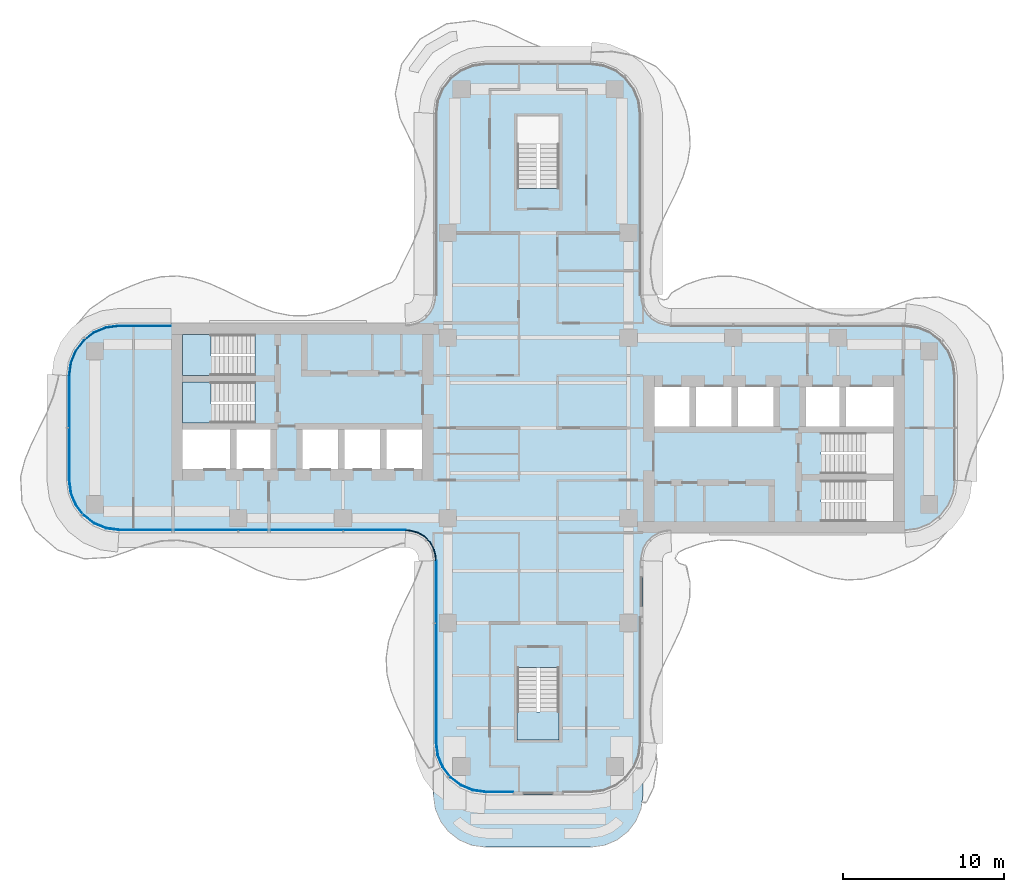
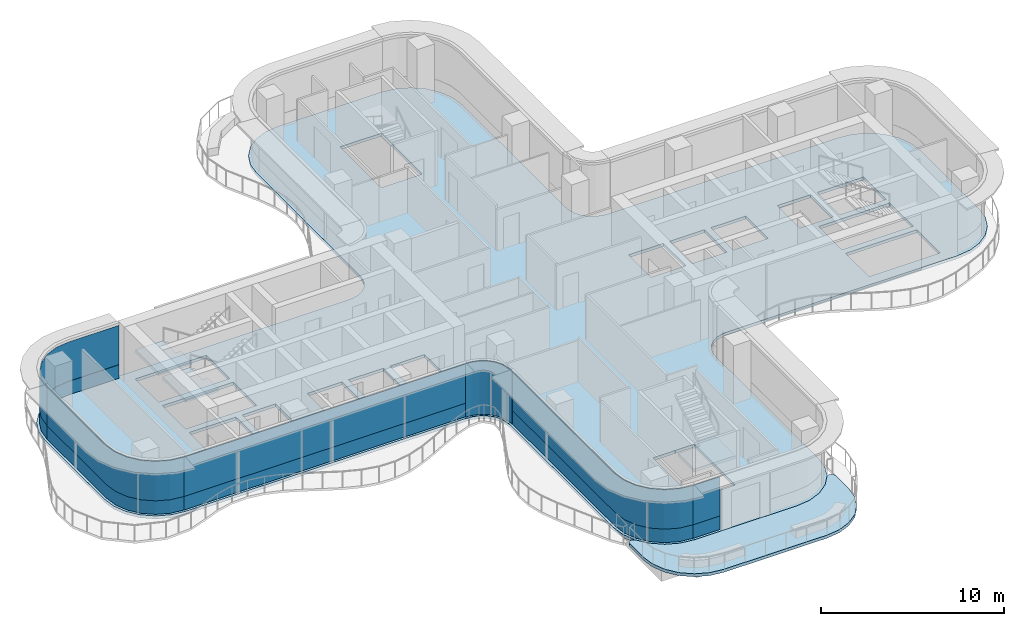
# One storey, part 8 of 17: 11 plates, 5 slabs, 9 elements without a shape of their own.
"""IFC4 building model written with IfcOpenShell, lengths in metres."""

from ifc_helpers import new_model, si_unit, direction, frame, origin, place, context, subcontext, project, spatial, polyline, outline, extrude, source, transform, mapped, material, layer, layer_set, type_object, element, aggregate, save


model = new_model("IFC4")

# Units and contexts
model_context = context("Model", 3, precision=1e-05, world=origin(), true_north=direction((0.0, 1.0)))
body_context = subcontext(model_context, "Body", "Model", "MODEL_VIEW")
ifc_project = project(units=[si_unit("LENGTHUNIT", "METRE"), si_unit("AREAUNIT", "SQUARE_METRE"), si_unit("VOLUMEUNIT", "CUBIC_METRE"), si_unit("PLANEANGLEUNIT", "RADIAN"), si_unit("MASSUNIT", "GRAM", prefix="KILO")], contexts=[model_context])

# Site, building, storey
site_placement = place(None, origin())
site = spatial("IfcSite", under=ifc_project, at=site_placement, CompositionType="ELEMENT")
building_placement = place(site_placement, origin())
building = spatial("IfcBuilding", under=site, at=building_placement, Name="Trellis Farm Tower", CompositionType="ELEMENT")
storey_placement = place(building_placement, frame((0.0, 0.0, 244.10009765625)))
storey = spatial("IfcBuildingStorey", under=building, at=storey_placement, Name="L54", CompositionType="ELEMENT", Elevation=244.10009765625)

# Curtain wall, plates
ifc_material_1 = material(Name="Aluminium and glass curtain wall", Category="aluminium")
ifc_layer_1 = layer(ifc_material_1, 0.18994140625)
ifc_layer_set_1 = layer_set([ifc_layer_1], Name="RIBBON CURTAIN WALL CW1")
curtain_wall_type_1 = type_object("IfcCurtainWallType", Name="RIBBON CURTAIN WALL CW1", PredefinedType="NOTDEFINED", material=ifc_layer_set_1)
placement_1 = place(storey_placement, origin())
curtain_wall_1 = element("IfcCurtainWall", 1, at=placement_1, inside=storey, type_object=curtain_wall_type_1, Name="CW1 003", PredefinedType="NOTDEFINED")
ifc_material_2 = material(Name="Clear insulated glass", Category="glass")
ifc_layer_2 = layer(ifc_material_2, 0.0400390625)
ifc_layer_set_2 = layer_set([ifc_layer_2], Name="CW1 GLASS PANEL 40")
plate_type_1 = type_object("IfcPlateType", Name="CW1 GLASS PANEL 40", PredefinedType="CURTAIN_PANEL", material=ifc_layer_set_2)
placement_2 = place(storey_placement, frame((0.0, 0.0, 0.89990234375)))
plate_1 = element("IfcPlate", 2, at=placement_2, type_object=plate_type_1, Name="PL1 003", PredefinedType="CURTAIN_PANEL", context=body_context, shape_type="SweptSolid", body=[
    extrude(outline(polyline([(-3.240234375, -22.60009765625), (-1.56005859375, -22.60009765625), (-1.56005859375, -22.56005859375), (-3.237548828125, -22.56005859375), (-3.240234375, -22.60009765625)])), origin(), (0.0, 0.0, 1.0), 2.6201171875),
])
ifc_material_3 = material(Name="Sandstone faced insulated panel", Category="masonry")
ifc_layer_3 = layer(ifc_material_3, 0.050048828125)
ifc_layer_set_3 = layer_set([ifc_layer_3], Name="CW1 STONE SPANDREL PANEL 50")
plate_type_2 = type_object("IfcPlateType", Name="CW1 STONE SPANDREL PANEL 50", PredefinedType="CURTAIN_PANEL", material=ifc_layer_set_3)
plate_2 = element("IfcPlate", 3, at=placement_1, type_object=plate_type_2, Name="PS1 003", PredefinedType="CURTAIN_PANEL", context=body_context, shape_type="SweptSolid", body=[
    extrude(outline(polyline([(-3.240234375, -22.60009765625), (-1.56005859375, -22.60009765625), (-1.56005859375, -22.550048828125), (-3.23681640625, -22.550048828125), (-3.240234375, -22.60009765625)])), origin(), (0.0, 0.0, 1.0), 0.89990234375),
])
aggregate(curtain_wall_1, [plate_1, plate_2])

# Slabs
ifc_material_4 = material(Name="Concrete C40/50", Category="concrete")
ifc_layer_4 = layer(ifc_material_4, 0.199951171875)
ifc_layer_set_4 = layer_set([ifc_layer_4], Name="Terrace slab on composite deck 200")
slab_type_1 = type_object("IfcSlabType", Name="Terrace slab on composite deck 200", PredefinedType="FLOOR", material=ifc_layer_set_4)
placement_3 = place(storey_placement, frame((0.0, 0.0, -0.2001953125)))
element("IfcSlab", 4, at=placement_3, inside=storey, type_object=slab_type_1, Name="Terrace slab", PredefinedType="FLOOR", context=body_context, shape_type="SweptSolid", body=[
    extrude(outline(polyline([(-6.228271484375, -21.044921875), (-6.052978515625, -21.14111328125), (-5.548583984375, -21.798583984375), (-4.875244140625, -22.315185546875), (-4.09130859375, -22.639892578125), (-3.25, -22.75048828125), (3.25, -22.75048828125), (4.09130859375, -22.639892578125), (4.875244140625, -22.315185546875), (5.548583984375, -21.798583984375), (6.052978515625, -21.14111328125), (6.228271484375, -21.044921875), (6.4189453125, -21.109619140625), (6.5, -21.2939453125), (6.5, -22.733642578125), (6.497802734375, -22.76611328125), (6.3935546875, -23.55859375), (6.376708984375, -23.62158203125), (6.0771484375, -24.344482421875), (6.04443359375, -24.401123046875), (5.568115234375, -25.02197265625), (5.52197265625, -25.068115234375), (4.901123046875, -25.54443359375), (4.844482421875, -25.5771484375), (4.12158203125, -25.876708984375), (4.05859375, -25.8935546875), (3.26611328125, -25.997802734375), (3.233642578125, -26.0), (-3.233642578125, -26.0), (-3.26611328125, -25.997802734375), (-4.05859375, -25.8935546875), (-4.12158203125, -25.876708984375), (-4.844482421875, -25.5771484375), (-4.901123046875, -25.54443359375), (-5.52197265625, -25.068115234375), (-5.568115234375, -25.02197265625), (-6.04443359375, -24.401123046875), (-6.0771484375, -24.344482421875), (-6.376708984375, -23.62158203125), (-6.3935546875, -23.55859375), (-6.497802734375, -22.76611328125), (-6.5, -22.733642578125), (-6.5, -21.2939453125), (-6.4189453125, -21.109619140625), (-6.228271484375, -21.044921875)])), origin(), (0.0, 0.0, 1.0), 0.2001953125),
])
ifc_layer_5 = layer(ifc_material_4, 0.199951171875)
ifc_layer_set_5 = layer_set([ifc_layer_5], Name="Composite deck floor slab 200")
slab_type_2 = type_object("IfcSlabType", Name="Composite deck floor slab 200", PredefinedType="FLOOR", material=ifc_layer_set_5)
shared_shape_1 = source(origin(), body_context, "Body", "SweptSolid", [
    extrude(outline(polyline([(-26.84130859375, -6.389404296875), (-27.625, -6.064697265625), (-28.298095703125, -5.548095703125), (-28.814697265625, -4.875), (-29.139404296875, -4.09130859375), (-29.25, -3.25), (-29.25, 3.25), (-29.139404296875, 4.09130859375), (-28.814697265625, 4.875), (-28.298095703125, 5.548095703125), (-27.625, 6.064697265625), (-26.84130859375, 6.389404296875), (-26.0, 6.5), (-8.2314453125, 6.5), (-8.01953125, 6.513916015625), (-7.91552734375, 6.527587890625), (-7.508544921875, 6.63671875), (-7.144287109375, 6.846923828125), (-6.846923828125, 7.144287109375), (-6.63671875, 7.508544921875), (-6.527587890625, 7.91552734375), (-6.513916015625, 8.01953125), (-6.5, 8.2314453125), (-6.5, 19.5), (-6.389404296875, 20.34130859375), (-6.064697265625, 21.125), (-5.548095703125, 21.798095703125), (-4.875, 22.314697265625), (-4.09130859375, 22.639404296875), (-3.25, 22.75), (3.25, 22.75), (4.09130859375, 22.639404296875), (4.875, 22.314697265625), (5.548095703125, 21.798095703125), (6.064697265625, 21.125), (6.389404296875, 20.34130859375), (6.5, 19.5), (6.5, 8.2314453125), (6.513916015625, 8.01953125), (6.527587890625, 7.91552734375), (6.63671875, 7.508544921875), (6.846923828125, 7.144287109375), (7.144287109375, 6.846923828125), (7.508544921875, 6.63671875), (7.91552734375, 6.527587890625), (8.01953125, 6.513916015625), (8.2314453125, 6.5), (22.75, 6.5), (23.59130859375, 6.389404296875), (24.375, 6.064697265625), (25.048095703125, 5.548095703125), (25.564697265625, 4.875), (25.889404296875, 4.09130859375), (26.0, 3.25), (26.0, -3.25), (25.889404296875, -4.09130859375), (25.564697265625, -4.875), (25.048095703125, -5.548095703125), (24.375, -6.064697265625), (23.59130859375, -6.389404296875), (22.75, -6.5), (8.2314453125, -6.5), (8.01953125, -6.513916015625), (7.91552734375, -6.527587890625), (7.508544921875, -6.63671875), (7.144287109375, -6.846923828125), (6.846923828125, -7.144287109375), (6.63671875, -7.508544921875), (6.527587890625, -7.91552734375), (6.513916015625, -8.01953125), (6.5, -8.2314453125), (6.5, -19.5), (6.389404296875, -20.34130859375), (6.064697265625, -21.125), (5.548095703125, -21.798095703125), (4.875, -22.314697265625), (4.09130859375, -22.639404296875), (3.25, -22.75), (-3.25, -22.75), (-4.09130859375, -22.639404296875), (-4.875, -22.314697265625), (-5.548095703125, -21.798095703125), (-6.064697265625, -21.125), (-6.389404296875, -20.34130859375), (-6.5, -19.5), (-6.5, -8.2314453125), (-6.513916015625, -8.01953125), (-6.527587890625, -7.91552734375), (-6.63671875, -7.508544921875), (-6.846923828125, -7.144287109375), (-7.144287109375, -6.846923828125), (-7.508544921875, -6.63671875), (-7.91552734375, -6.527587890625), (-8.01953125, -6.513916015625), (-8.2314453125, -6.5), (-26.0, -6.5), (-26.84130859375, -6.389404296875)]), holes=[polyline([(-22.050048828125, -0.10009765625), (-22.050048828125, -2.550048828125), (-19.10009765625, -2.550048828125), (-19.10009765625, -0.10009765625), (-22.050048828125, -0.10009765625)]), polyline([(-18.699951171875, -0.10009765625), (-18.699951171875, -2.550048828125), (-16.60009765625, -2.550048828125), (-16.60009765625, -0.10009765625), (-18.699951171875, -0.10009765625)]), polyline([(-14.60009765625, -0.10009765625), (-14.60009765625, -2.550048828125), (-12.39990234375, -2.550048828125), (-12.39990234375, -0.10009765625), (-14.60009765625, -0.10009765625)]), polyline([(-12.0, -0.10009765625), (-12.0, -2.550048828125), (-9.800048828125, -2.550048828125), (-9.800048828125, -0.10009765625), (-12.0, -0.10009765625)]), polyline([(-9.39990234375, -0.10009765625), (-9.39990234375, -2.550048828125), (-7.199951171875, -2.550048828125), (-7.199951171875, -0.10009765625), (-9.39990234375, -0.10009765625)]), polyline([(-17.56201171875, 1.64990234375), (-17.56201171875, 2.85009765625), (-22.050048828125, 2.85009765625), (-22.050048828125, 0.300048828125), (-17.56005859375, 0.300048828125), (-17.56005859375, 1.5), (-17.550048828125, 1.5), (-17.550048828125, 1.64990234375), (-17.56201171875, 1.64990234375)]), polyline([(-17.56201171875, 4.60009765625), (-17.56201171875, 5.800048828125), (-22.050048828125, 5.800048828125), (-22.050048828125, 3.25), (-17.56005859375, 3.25), (-17.56005859375, 4.449951171875), (-17.550048828125, 4.449951171875), (-17.550048828125, 4.60009765625), (-17.56201171875, 4.60009765625)]), polyline([(0.10009765625, 14.862060546875), (1.300048828125, 14.862060546875), (1.300048828125, 19.35009765625), (-1.300048828125, 19.35009765625), (-1.300048828125, 14.860107421875), (-0.10009765625, 14.860107421875), (-0.10009765625, 14.85009765625), (0.10009765625, 14.85009765625), (0.10009765625, 14.862060546875)]), polyline([(-0.10009765625, -14.862060546875), (-1.300048828125, -14.862060546875), (-1.300048828125, -19.35009765625), (1.300048828125, -19.35009765625), (1.300048828125, -14.860107421875), (0.10009765625, -14.860107421875), (0.10009765625, -14.85009765625), (-0.10009765625, -14.85009765625), (-0.10009765625, -14.862060546875)]), polyline([(17.56201171875, -4.60009765625), (17.56201171875, -5.800048828125), (22.050048828125, -5.800048828125), (22.050048828125, -3.25), (17.56005859375, -3.25), (17.56005859375, -4.449951171875), (17.550048828125, -4.449951171875), (17.550048828125, -4.60009765625), (17.56201171875, -4.60009765625)]), polyline([(17.56201171875, -1.64990234375), (17.56201171875, -2.85009765625), (22.050048828125, -2.85009765625), (22.050048828125, -0.300048828125), (17.56005859375, -0.300048828125), (17.56005859375, -1.5), (17.550048828125, -1.5), (17.550048828125, -1.64990234375), (17.56201171875, -1.64990234375)]), polyline([(9.39990234375, 0.10009765625), (9.39990234375, 2.550048828125), (7.199951171875, 2.550048828125), (7.199951171875, 0.10009765625), (9.39990234375, 0.10009765625)]), polyline([(12.0, 0.10009765625), (12.0, 2.550048828125), (9.800048828125, 2.550048828125), (9.800048828125, 0.10009765625), (12.0, 0.10009765625)]), polyline([(14.60009765625, 0.10009765625), (14.60009765625, 2.550048828125), (12.39990234375, 2.550048828125), (12.39990234375, 0.10009765625), (14.60009765625, 0.10009765625)]), polyline([(18.699951171875, 0.10009765625), (18.699951171875, 2.550048828125), (16.60009765625, 2.550048828125), (16.60009765625, 0.10009765625), (18.699951171875, 0.10009765625)]), polyline([(22.050048828125, 0.10009765625), (22.050048828125, 2.550048828125), (19.10009765625, 2.550048828125), (19.10009765625, 0.10009765625), (22.050048828125, 0.10009765625)])]), origin(), (0.0, 0.0, 1.0), 0.2001953125),
])
element("IfcSlab", 5, at=placement_3, inside=storey, type_object=slab_type_2, Name="Floor slab", PredefinedType="FLOOR", context=body_context, shape_type="MappedRepresentation", body=[
    mapped(shared_shape_1, transform((0.0, 0.0, 0.0))),
])

# Stair, slab
ifc_material_5 = material(Name="Concrete C50/60", Category="concrete")
stair_type = type_object("IfcStairType", Name="CORE EXIT STAIR 22 RISERS 177 MM", PredefinedType="HALF_TURN_STAIR", material=ifc_material_5)
stair_1 = element("IfcStair", 6, at=placement_1, inside=storey, type_object=stair_type, Name="Exit stair S", PredefinedType="HALF_TURN_STAIR")
ifc_layer_6 = layer(ifc_material_5, 0.18994140625)
ifc_layer_set_6 = layer_set([ifc_layer_6], Name="CORE STAIR LANDING 190 CONCRETE C50/60")
slab_type_3 = type_object("IfcSlabType", Name="CORE STAIR LANDING 190 CONCRETE C50/60", PredefinedType="LANDING", material=ifc_layer_set_6)
shared_shape_2 = source(origin(), body_context, "Body", "SweptSolid", [
    extrude(outline(polyline([(1.300048828125, -19.35009765625), (-1.300048828125, -19.35009765625), (-1.300048828125, -17.60009765625), (-1.300048828125, -17.590087890625), (-0.10009765625, -17.590087890625), (-0.10009765625, -17.60009765625), (0.10009765625, -17.60009765625), (0.10009765625, -17.27197265625), (1.300048828125, -17.27197265625), (1.300048828125, -17.60009765625), (1.300048828125, -19.35009765625)])), origin(), (0.0, 0.0, 1.0), 0.18994140625),
])
placement_4 = place(storey_placement, frame((0.0, 0.0, 1.760009765625)))
slab_3 = element("IfcSlab", 7, at=placement_4, type_object=slab_type_3, Name="STS landing 1", PredefinedType="LANDING", context=body_context, shape_type="MappedRepresentation", body=[
    mapped(shared_shape_2, transform((0.0, 0.0, 0.0))),
])
aggregate(stair_1, [slab_3])

stair_2 = element("IfcStair", 8, at=placement_1, inside=storey, type_object=stair_type, Name="Exit stair W1", PredefinedType="HALF_TURN_STAIR")
shared_shape_3 = source(origin(), body_context, "Body", "SweptSolid", [
    extrude(outline(polyline([(-19.971923828125, 4.449951171875), (-19.971923828125, 3.25), (-20.300048828125, 3.25), (-22.050048828125, 3.25), (-22.050048828125, 5.800048828125), (-20.300048828125, 5.800048828125), (-20.2900390625, 5.800048828125), (-20.2900390625, 4.60009765625), (-20.300048828125, 4.60009765625), (-20.300048828125, 4.449951171875), (-19.971923828125, 4.449951171875)])), origin(), (0.0, 0.0, 1.0), 0.18994140625),
])
slab_4 = element("IfcSlab", 9, at=placement_4, type_object=slab_type_3, Name="STW1 landing 1", PredefinedType="LANDING", context=body_context, shape_type="MappedRepresentation", body=[
    mapped(shared_shape_3, transform((0.0, 0.0, 0.0))),
])
aggregate(stair_2, [slab_4])

stair_3 = element("IfcStair", 10, at=placement_1, inside=storey, type_object=stair_type, Name="Exit stair W2", PredefinedType="HALF_TURN_STAIR")
shared_shape_4 = source(origin(), body_context, "Body", "SweptSolid", [
    extrude(outline(polyline([(-19.971923828125, 1.5), (-19.971923828125, 0.300048828125), (-20.300048828125, 0.300048828125), (-22.050048828125, 0.300048828125), (-22.050048828125, 2.85009765625), (-20.300048828125, 2.85009765625), (-20.2900390625, 2.85009765625), (-20.2900390625, 1.64990234375), (-20.300048828125, 1.64990234375), (-20.300048828125, 1.5), (-19.971923828125, 1.5)])), origin(), (0.0, 0.0, 1.0), 0.18994140625),
])
slab_5 = element("IfcSlab", 11, at=placement_4, type_object=slab_type_3, Name="STW2 landing 1", PredefinedType="LANDING", context=body_context, shape_type="MappedRepresentation", body=[
    mapped(shared_shape_4, transform((0.0, 0.0, 0.0))),
])
aggregate(stair_3, [slab_5])

# Curtain wall, plates
curtain_wall_2 = element("IfcCurtainWall", 12, at=placement_1, inside=storey, type_object=curtain_wall_type_1, Name="CW1 001", PredefinedType="NOTDEFINED")
shared_shape_5 = source(origin(), body_context, "Body", "SweptSolid", [
    extrude(outline(polyline([(-25.990234375, -6.35009765625), (-8.2265625, -6.35009765625), (-8.22509765625, -6.31005859375), (-25.987548828125, -6.31005859375), (-25.990234375, -6.35009765625)])), origin(), (0.0, 0.0, 1.0), 2.6201171875),
])
plate_3 = element("IfcPlate", 13, at=placement_2, type_object=plate_type_1, Name="PL1 001", PredefinedType="CURTAIN_PANEL", context=body_context, shape_type="MappedRepresentation", body=[
    mapped(shared_shape_5, transform((0.0, 0.0, 0.0))),
])
shared_shape_6 = source(origin(), body_context, "Body", "SweptSolid", [
    extrude(outline(polyline([(-25.990234375, -6.35009765625), (-8.2265625, -6.35009765625), (-8.224853515625, -6.300048828125), (-25.98681640625, -6.300048828125), (-25.990234375, -6.35009765625)])), origin(), (0.0, 0.0, 1.0), 0.89990234375),
])
plate_4 = element("IfcPlate", 14, at=placement_1, type_object=plate_type_2, Name="PS1 001", PredefinedType="CURTAIN_PANEL", context=body_context, shape_type="MappedRepresentation", body=[
    mapped(shared_shape_6, transform((0.0, 0.0, 0.0))),
])
aggregate(curtain_wall_2, [plate_3, plate_4])

curtain_wall_3 = element("IfcCurtainWall", 15, at=placement_1, inside=storey, type_object=curtain_wall_type_1, Name="CW1 013", PredefinedType="NOTDEFINED")
shared_shape_7 = source(origin(), body_context, "Body", "SweptSolid", [
    extrude(outline(polyline([(-22.780029296875, 6.35009765625), (-25.990234375, 6.35009765625), (-26.802001953125, 6.2431640625), (-27.54931640625, 5.93359375), (-28.191162109375, 5.441162109375), (-28.68359375, 4.79931640625), (-28.9931640625, 4.052001953125), (-29.10009765625, 3.240234375), (-29.06005859375, 3.237548828125), (-28.9541015625, 4.04150390625), (-28.648681640625, 4.779296875), (-28.16259765625, 5.41259765625), (-27.529296875, 5.898681640625), (-26.79150390625, 6.2041015625), (-25.987548828125, 6.31005859375), (-22.780029296875, 6.31005859375), (-22.780029296875, 6.35009765625)])), origin(), (0.0, 0.0, 1.0), 2.6201171875),
])
plate_5 = element("IfcPlate", 16, at=placement_2, type_object=plate_type_1, Name="PL1 013", PredefinedType="CURTAIN_PANEL", context=body_context, shape_type="MappedRepresentation", body=[
    mapped(shared_shape_7, transform((0.0, 0.0, 0.0))),
])
shared_shape_8 = source(origin(), body_context, "Body", "SweptSolid", [
    extrude(outline(polyline([(-22.780029296875, 6.35009765625), (-25.990234375, 6.35009765625), (-26.802001953125, 6.2431640625), (-27.54931640625, 5.93359375), (-28.191162109375, 5.441162109375), (-28.68359375, 4.79931640625), (-28.9931640625, 4.052001953125), (-29.10009765625, 3.240234375), (-29.050048828125, 3.23681640625), (-28.9443359375, 4.0390625), (-28.639892578125, 4.774169921875), (-28.155517578125, 5.405517578125), (-27.524169921875, 5.889892578125), (-26.7890625, 6.1943359375), (-25.98681640625, 6.300048828125), (-22.780029296875, 6.300048828125), (-22.780029296875, 6.35009765625)])), origin(), (0.0, 0.0, 1.0), 0.89990234375),
])
plate_6 = element("IfcPlate", 17, at=placement_1, type_object=plate_type_2, Name="PS1 013", PredefinedType="CURTAIN_PANEL", context=body_context, shape_type="MappedRepresentation", body=[
    mapped(shared_shape_8, transform((0.0, 0.0, 0.0))),
])
aggregate(curtain_wall_3, [plate_5, plate_6])

curtain_wall_4 = element("IfcCurtainWall", 18, at=placement_1, inside=storey, type_object=curtain_wall_type_1, Name="CW1 014", PredefinedType="NOTDEFINED")
shared_shape_9 = source(origin(), body_context, "Body", "SweptSolid", [
    extrude(outline(polyline([(-29.10009765625, 3.240234375), (-29.10009765625, -3.240234375), (-28.9931640625, -4.052001953125), (-28.68359375, -4.79931640625), (-28.191162109375, -5.441162109375), (-27.54931640625, -5.93359375), (-26.802001953125, -6.2431640625), (-25.990234375, -6.35009765625), (-25.987548828125, -6.31005859375), (-26.79150390625, -6.2041015625), (-27.529296875, -5.898681640625), (-28.16259765625, -5.41259765625), (-28.648681640625, -4.779296875), (-28.9541015625, -4.04150390625), (-29.06005859375, -3.237548828125), (-29.06005859375, 3.237548828125), (-29.10009765625, 3.240234375)])), origin(), (0.0, 0.0, 1.0), 2.6201171875),
])
plate_7 = element("IfcPlate", 19, at=placement_2, type_object=plate_type_1, Name="PL1 014", PredefinedType="CURTAIN_PANEL", context=body_context, shape_type="MappedRepresentation", body=[
    mapped(shared_shape_9, transform((0.0, 0.0, 0.0))),
])
shared_shape_10 = source(origin(), body_context, "Body", "SweptSolid", [
    extrude(outline(polyline([(-29.10009765625, 3.240234375), (-29.10009765625, -3.240234375), (-28.9931640625, -4.052001953125), (-28.68359375, -4.79931640625), (-28.191162109375, -5.441162109375), (-27.54931640625, -5.93359375), (-26.802001953125, -6.2431640625), (-25.990234375, -6.35009765625), (-25.98681640625, -6.300048828125), (-26.7890625, -6.1943359375), (-27.524169921875, -5.889892578125), (-28.155517578125, -5.405517578125), (-28.639892578125, -4.774169921875), (-28.9443359375, -4.0390625), (-29.050048828125, -3.23681640625), (-29.050048828125, 3.23681640625), (-29.10009765625, 3.240234375)])), origin(), (0.0, 0.0, 1.0), 0.89990234375),
])
plate_8 = element("IfcPlate", 20, at=placement_1, type_object=plate_type_2, Name="PS1 014", PredefinedType="CURTAIN_PANEL", context=body_context, shape_type="MappedRepresentation", body=[
    mapped(shared_shape_10, transform((0.0, 0.0, 0.0))),
])
aggregate(curtain_wall_4, [plate_7, plate_8])

# Curtain wall, plate
ifc_layer_7 = layer(ifc_material_1, 0.166015625)
ifc_layer_set_7 = layer_set([ifc_layer_7], Name="WINTER GARDEN CURTAIN WALL CW3")
curtain_wall_type_2 = type_object("IfcCurtainWallType", Name="WINTER GARDEN CURTAIN WALL CW3", PredefinedType="NOTDEFINED", material=ifc_layer_set_7)
curtain_wall_5 = element("IfcCurtainWall", 21, at=placement_1, inside=storey, type_object=curtain_wall_type_2, Name="CW3 001", PredefinedType="NOTDEFINED")
ifc_layer_8 = layer(ifc_material_2, 0.0458984375)
ifc_layer_set_8 = layer_set([ifc_layer_8], Name="CW3 GLASS PANEL 46")
plate_type_3 = type_object("IfcPlateType", Name="CW3 GLASS PANEL 46", PredefinedType="CURTAIN_PANEL", material=ifc_layer_set_8)
shared_shape_11 = source(origin(), body_context, "Body", "SweptSolid", [
    extrude(outline(polyline([(-8.2275390625, -6.3798828125), (-8.0078125, -6.394287109375), (-7.89208984375, -6.40966796875), (-7.462158203125, -6.52490234375), (-7.070556640625, -6.7509765625), (-6.7509765625, -7.070556640625), (-6.52490234375, -7.462158203125), (-6.40966796875, -7.89208984375), (-6.394287109375, -8.0078125), (-6.3798828125, -8.2275390625), (-6.333984375, -8.22607421875), (-6.3486328125, -8.003173828125), (-6.364501953125, -7.883056640625), (-6.48193359375, -7.4443359375), (-6.714111328125, -7.04248046875), (-7.04248046875, -6.714111328125), (-7.4443359375, -6.48193359375), (-7.883056640625, -6.364501953125), (-8.003173828125, -6.3486328125), (-8.22607421875, -6.333984375), (-8.2275390625, -6.3798828125)])), origin(), (0.0, 0.0, 1.0), 3.5498046875),
])
plate_9 = element("IfcPlate", 22, at=placement_1, type_object=plate_type_3, Name="PL3 001", PredefinedType="CURTAIN_PANEL", context=body_context, shape_type="MappedRepresentation", body=[
    mapped(shared_shape_11, transform((0.0, 0.0, 0.0))),
])
aggregate(curtain_wall_5, [plate_9])

# Curtain wall, plates
curtain_wall_6 = element("IfcCurtainWall", 23, at=placement_1, inside=storey, type_object=curtain_wall_type_1, Name="CW1 002", PredefinedType="NOTDEFINED")
shared_shape_12 = source(origin(), body_context, "Body", "SweptSolid", [
    extrude(outline(polyline([(-6.35009765625, -8.2265625), (-6.35009765625, -19.490234375), (-6.2431640625, -20.302001953125), (-5.93359375, -21.04931640625), (-5.441162109375, -21.691162109375), (-4.79931640625, -22.18359375), (-4.052001953125, -22.4931640625), (-3.240234375, -22.60009765625), (-3.237548828125, -22.56005859375), (-4.04150390625, -22.4541015625), (-4.779296875, -22.148681640625), (-5.41259765625, -21.66259765625), (-5.898681640625, -21.029296875), (-6.2041015625, -20.29150390625), (-6.31005859375, -19.487548828125), (-6.31005859375, -8.22509765625), (-6.35009765625, -8.2265625)])), origin(), (0.0, 0.0, 1.0), 2.6201171875),
])
plate_10 = element("IfcPlate", 24, at=placement_2, type_object=plate_type_1, Name="PL1 002", PredefinedType="CURTAIN_PANEL", context=body_context, shape_type="MappedRepresentation", body=[
    mapped(shared_shape_12, transform((0.0, 0.0, 0.0))),
])
shared_shape_13 = source(origin(), body_context, "Body", "SweptSolid", [
    extrude(outline(polyline([(-6.35009765625, -8.2265625), (-6.35009765625, -19.490234375), (-6.2431640625, -20.302001953125), (-5.93359375, -21.04931640625), (-5.441162109375, -21.691162109375), (-4.79931640625, -22.18359375), (-4.052001953125, -22.4931640625), (-3.240234375, -22.60009765625), (-3.23681640625, -22.550048828125), (-4.0390625, -22.4443359375), (-4.774169921875, -22.139892578125), (-5.405517578125, -21.655517578125), (-5.889892578125, -21.024169921875), (-6.1943359375, -20.2890625), (-6.300048828125, -19.48681640625), (-6.300048828125, -8.224853515625), (-6.35009765625, -8.2265625)])), origin(), (0.0, 0.0, 1.0), 0.89990234375),
])
plate_11 = element("IfcPlate", 25, at=placement_1, type_object=plate_type_2, Name="PS1 002", PredefinedType="CURTAIN_PANEL", context=body_context, shape_type="MappedRepresentation", body=[
    mapped(shared_shape_13, transform((0.0, 0.0, 0.0))),
])
aggregate(curtain_wall_6, [plate_10, plate_11])

save(model, "model.ifc")
